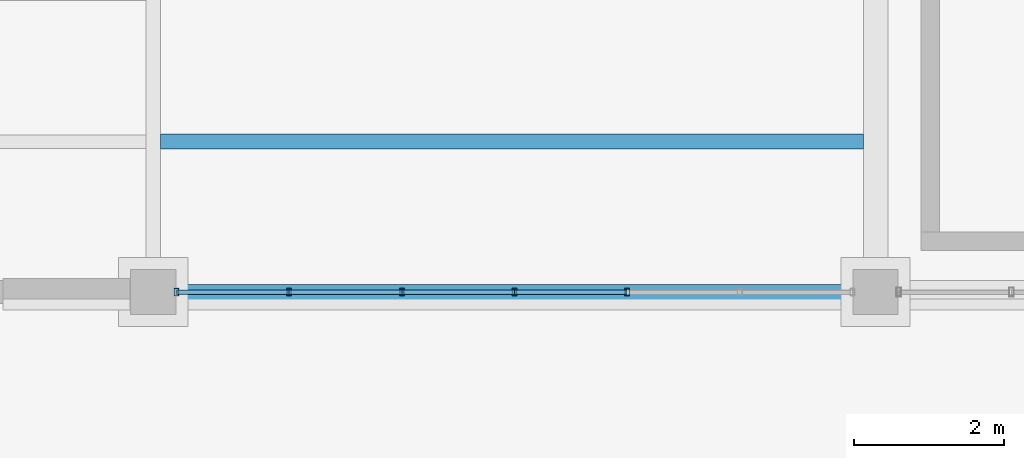
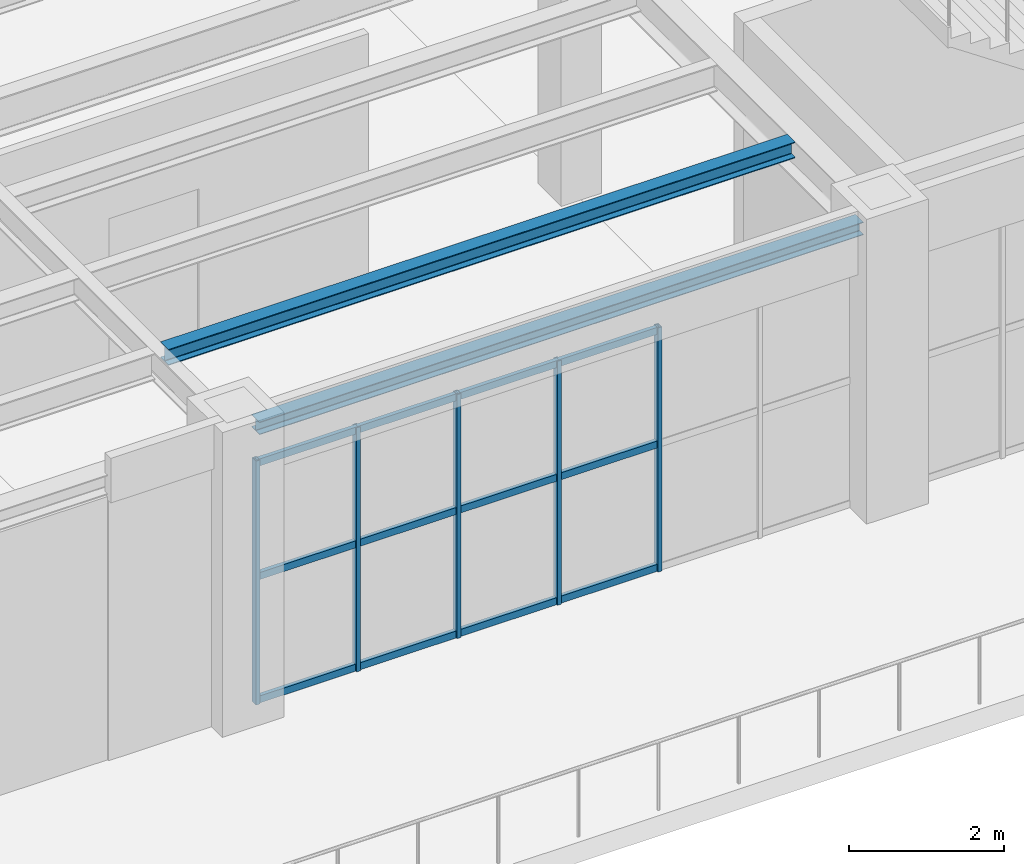
# One storey, part 29 of 83: 17 members, 2 beams, 1 element without a shape of its own.
"""IFC4 building model written with IfcOpenShell, lengths in metres."""

from ifc_helpers import new_model, si_unit, direction, frame, origin, origin_2d, place, context, subcontext, project, spatial, hollow_rectangle, i_section, extrude, material, material_profile, profile_set, type_object, element, aggregate, save


model = new_model("IFC4")

# Units and contexts
model_context = context("Model", 3, precision=1e-05, world=origin(), true_north=direction((0.0, 1.0)))
body_context = subcontext(model_context, "Body", "Model", "MODEL_VIEW")
ifc_project = project(units=[si_unit("LENGTHUNIT", "METRE"), si_unit("AREAUNIT", "SQUARE_METRE"), si_unit("VOLUMEUNIT", "CUBIC_METRE"), si_unit("PLANEANGLEUNIT", "RADIAN"), si_unit("MASSUNIT", "GRAM", prefix="KILO")], contexts=[model_context])

# Site, building, storey
site_placement = place(None, origin())
site = spatial("IfcSite", under=ifc_project, at=site_placement, CompositionType="ELEMENT")
building_placement = place(site_placement, origin())
building = spatial("IfcBuilding", under=site, at=building_placement, Name="Mavantir Sound Aquarium", CompositionType="ELEMENT")
storey_placement = place(building_placement, frame((0.0, 0.0, 10.5)))
storey = spatial("IfcBuildingStorey", under=building, at=storey_placement, Name="L02", CompositionType="ELEMENT", Elevation=10.5)

# Beams
ifc_material_1 = material(Name="Structural Steel ASTM A992 Gr50", Category="steel")
ifc_material_profile_1 = material_profile(ifc_material_1, i_section(OverallWidth=0.202880859375, OverallDepth=0.202880859375, WebThickness=0.007080078125, FlangeThickness=0.010986328125, FilletRadius=0.010009765625, at=origin_2d()), Name="W200X46")
ifc_profile_set_1 = profile_set([ifc_material_profile_1], Name="Structural Steel ASTM A992 Gr50")
beam_type_1 = type_object("IfcBeamType", Name="BM-W200X46-E", PredefinedType="LINTEL", material=ifc_profile_set_1)
beam_1_placement = place(storey_placement, frame((137.10009765625, 40.800048828125, 4.384521484375), z_axis=(1.0, 0.0, 0.0), x_axis=(0.0, 1.0, 0.0)))
element("IfcBeam", 1, at=beam_1_placement, inside=storey, type_object=beam_type_1, Name="L02 primary beam SL-20 1518", PredefinedType="LINTEL", context=body_context, shape_type="SweptSolid", body=[
    extrude(i_section(OverallWidth=0.202880859375, OverallDepth=0.202880859375, WebThickness=0.007080078125, FlangeThickness=0.010986328125, FilletRadius=0.010009765625, at=origin_2d()), origin(), (0.0, 0.0, 1.0), 9.0),
])
ifc_material_profile_2 = material_profile(ifc_material_1, i_section(OverallWidth=0.202880859375, OverallDepth=0.251953125, WebThickness=0.008056640625, FlangeThickness=0.013427734375, FilletRadius=0.011962890625, at=origin_2d()), Name="W250X58")
ifc_profile_set_2 = profile_set([ifc_material_profile_2], Name="Structural Steel ASTM A992 Gr50")
beam_type_2 = type_object("IfcBeamType", Name="BM-W250X58-I", PredefinedType="JOIST", material=ifc_profile_set_2)
beam_2_placement = place(storey_placement, frame((136.89697265625, 42.800048828125, 4.360107421875), z_axis=(1.0, 0.0, 0.0), x_axis=(0.0, 1.0, 0.0)))
element("IfcBeam", 2, at=beam_2_placement, inside=storey, type_object=beam_type_2, Name="L02 secondary floor joist SJ-25 896", PredefinedType="JOIST", context=body_context, shape_type="SweptSolid", body=[
    extrude(i_section(OverallWidth=0.202880859375, OverallDepth=0.251953125, WebThickness=0.008056640625, FlangeThickness=0.013427734375, FilletRadius=0.011962890625, at=origin_2d()), origin(), (0.0, 0.0, 1.0), 9.341064453125),
])

# Curtain wall, members
ifc_material_2 = material(Name="Anodised Marine Aluminium and Low-E Glass", Category="aluminium")
curtain_wall_type = type_object("IfcCurtainWallType", Name="CW-T15", PredefinedType="USERDEFINED", material=ifc_material_2)
curtain_wall_placement = place(storey_placement, origin())
curtain_wall = element("IfcCurtainWall", 3, at=curtain_wall_placement, inside=storey, type_object=curtain_wall_type, Name="L02 unitised curtain wall CW-15 135", ObjectType="UNITISED GLAZING", PredefinedType="USERDEFINED")
ifc_material_3 = material(Name="Anodised Marine Aluminium 6063-T6", Category="aluminium")
ifc_material_profile_3 = material_profile(ifc_material_3, hollow_rectangle(XDim=0.06005859375, YDim=0.10009765625, WallThickness=0.00390625, at=origin_2d()), Name="ALU-MULLION-100X60")
ifc_profile_set_3 = profile_set([ifc_material_profile_3], Name="Anodised Marine Aluminium 6063-T6")
member_type_1 = type_object("IfcMemberType", Name="CW-MUL-100", PredefinedType="MULLION", material=ifc_profile_set_3)
member_1_placement = place(storey_placement, frame((137.10791015625, 40.800048828125, 0.0), z_axis=(0.0, 0.0, 1.0), x_axis=(1.0, 0.0, 0.0)))
member_1 = element("IfcMember", 4, at=member_1_placement, type_object=member_type_1, Name="CW-L02-135 vertical mullion 1", PredefinedType="MULLION", context=body_context, shape_type="SweptSolid", body=[
    extrude(hollow_rectangle(XDim=0.06005859375, YDim=0.10009765625, WallThickness=0.00390625, at=origin_2d()), origin(), (0.0, 0.0, 1.0), 3.844970703125),
])
member_2_placement = place(storey_placement, frame((138.605224609375, 40.800048828125, 0.0), z_axis=(0.0, 0.0, 1.0), x_axis=(1.0, 0.0, 0.0)))
member_2 = element("IfcMember", 5, at=member_2_placement, type_object=member_type_1, Name="CW-L02-135 vertical mullion 2", PredefinedType="MULLION", context=body_context, shape_type="SweptSolid", body=[
    extrude(hollow_rectangle(XDim=0.06005859375, YDim=0.10009765625, WallThickness=0.00390625, at=origin_2d()), origin(), (0.0, 0.0, 1.0), 3.844970703125),
])
member_3_placement = place(storey_placement, frame((140.102783203125, 40.800048828125, 0.0), z_axis=(0.0, 0.0, 1.0), x_axis=(1.0, 0.0, 0.0)))
member_3 = element("IfcMember", 6, at=member_3_placement, type_object=member_type_1, Name="CW-L02-135 vertical mullion 3", PredefinedType="MULLION", context=body_context, shape_type="SweptSolid", body=[
    extrude(hollow_rectangle(XDim=0.06005859375, YDim=0.10009765625, WallThickness=0.00390625, at=origin_2d()), origin(), (0.0, 0.0, 1.0), 3.844970703125),
])
member_4_placement = place(storey_placement, frame((141.60009765625, 40.800048828125, 0.0), z_axis=(0.0, 0.0, 1.0), x_axis=(1.0, 0.0, 0.0)))
member_4 = element("IfcMember", 7, at=member_4_placement, type_object=member_type_1, Name="CW-L02-135 vertical mullion 4", PredefinedType="MULLION", context=body_context, shape_type="SweptSolid", body=[
    extrude(hollow_rectangle(XDim=0.06005859375, YDim=0.10009765625, WallThickness=0.00390625, at=origin_2d()), origin(), (0.0, 0.0, 1.0), 3.844970703125),
])
member_5_placement = place(storey_placement, frame((143.097412109375, 40.800048828125, 0.0), z_axis=(0.0, 0.0, 1.0), x_axis=(1.0, 0.0, 0.0)))
member_5 = element("IfcMember", 8, at=member_5_placement, type_object=member_type_1, Name="CW-L02-135 vertical mullion 5", PredefinedType="MULLION", context=body_context, shape_type="SweptSolid", body=[
    extrude(hollow_rectangle(XDim=0.06005859375, YDim=0.10009765625, WallThickness=0.00390625, at=origin_2d()), origin(), (0.0, 0.0, 1.0), 3.844970703125),
])
ifc_material_profile_4 = material_profile(ifc_material_3, hollow_rectangle(XDim=0.06005859375, YDim=0.110107421875, WallThickness=0.00390625, at=origin_2d()), Name="ALU-TRANSOM-110X60")
ifc_profile_set_4 = profile_set([ifc_material_profile_4], Name="Anodised Marine Aluminium 6063-T6")
member_type_2 = type_object("IfcMemberType", Name="CW-TRN-110", PredefinedType="USERDEFINED", material=ifc_profile_set_4)
member_6_placement = place(storey_placement, frame((137.10791015625, 40.800048828125, 0.054931640625), z_axis=(1.0, 0.0, 0.0), x_axis=(0.0, 1.0, 0.0)))
member_6 = element("IfcMember", 9, at=member_6_placement, type_object=member_type_2, Name="CW-L02-135 transom 1.1", ObjectType="TRANSOM", PredefinedType="USERDEFINED", context=body_context, shape_type="SweptSolid", body=[
    extrude(hollow_rectangle(XDim=0.06005859375, YDim=0.110107421875, WallThickness=0.00390625, at=origin_2d()), origin(), (0.0, 0.0, 1.0), 1.497314453125),
])
member_7_placement = place(storey_placement, frame((137.10791015625, 40.800048828125, 1.99951171875), z_axis=(1.0, 0.0, 0.0), x_axis=(0.0, 1.0, 0.0)))
member_7 = element("IfcMember", 10, at=member_7_placement, type_object=member_type_2, Name="CW-L02-135 transom 1.2", ObjectType="TRANSOM", PredefinedType="USERDEFINED", context=body_context, shape_type="SweptSolid", body=[
    extrude(hollow_rectangle(XDim=0.06005859375, YDim=0.110107421875, WallThickness=0.00390625, at=origin_2d()), origin(), (0.0, 0.0, 1.0), 1.497314453125),
])
member_8_placement = place(storey_placement, frame((137.10791015625, 40.800048828125, 3.7900390625), z_axis=(1.0, 0.0, 0.0), x_axis=(0.0, 1.0, 0.0)))
member_8 = element("IfcMember", 11, at=member_8_placement, type_object=member_type_2, Name="CW-L02-135 transom 1.3", ObjectType="TRANSOM", PredefinedType="USERDEFINED", context=body_context, shape_type="SweptSolid", body=[
    extrude(hollow_rectangle(XDim=0.06005859375, YDim=0.110107421875, WallThickness=0.00390625, at=origin_2d()), origin(), (0.0, 0.0, 1.0), 1.497314453125),
])
member_9_placement = place(storey_placement, frame((138.605224609375, 40.800048828125, 0.054931640625), z_axis=(1.0, 0.0, 0.0), x_axis=(0.0, 1.0, 0.0)))
member_9 = element("IfcMember", 12, at=member_9_placement, type_object=member_type_2, Name="CW-L02-135 transom 2.1", ObjectType="TRANSOM", PredefinedType="USERDEFINED", context=body_context, shape_type="SweptSolid", body=[
    extrude(hollow_rectangle(XDim=0.06005859375, YDim=0.110107421875, WallThickness=0.00390625, at=origin_2d()), origin(), (0.0, 0.0, 1.0), 1.49755859375),
])
member_10_placement = place(storey_placement, frame((138.605224609375, 40.800048828125, 1.99951171875), z_axis=(1.0, 0.0, 0.0), x_axis=(0.0, 1.0, 0.0)))
member_10 = element("IfcMember", 13, at=member_10_placement, type_object=member_type_2, Name="CW-L02-135 transom 2.2", ObjectType="TRANSOM", PredefinedType="USERDEFINED", context=body_context, shape_type="SweptSolid", body=[
    extrude(hollow_rectangle(XDim=0.06005859375, YDim=0.110107421875, WallThickness=0.00390625, at=origin_2d()), origin(), (0.0, 0.0, 1.0), 1.49755859375),
])
member_11_placement = place(storey_placement, frame((138.605224609375, 40.800048828125, 3.7900390625), z_axis=(1.0, 0.0, 0.0), x_axis=(0.0, 1.0, 0.0)))
member_11 = element("IfcMember", 14, at=member_11_placement, type_object=member_type_2, Name="CW-L02-135 transom 2.3", ObjectType="TRANSOM", PredefinedType="USERDEFINED", context=body_context, shape_type="SweptSolid", body=[
    extrude(hollow_rectangle(XDim=0.06005859375, YDim=0.110107421875, WallThickness=0.00390625, at=origin_2d()), origin(), (0.0, 0.0, 1.0), 1.49755859375),
])
member_12_placement = place(storey_placement, frame((140.102783203125, 40.800048828125, 0.054931640625), z_axis=(1.0, 0.0, 0.0), x_axis=(0.0, 1.0, 0.0)))
member_12 = element("IfcMember", 15, at=member_12_placement, type_object=member_type_2, Name="CW-L02-135 transom 3.1", ObjectType="TRANSOM", PredefinedType="USERDEFINED", context=body_context, shape_type="SweptSolid", body=[
    extrude(hollow_rectangle(XDim=0.06005859375, YDim=0.110107421875, WallThickness=0.00390625, at=origin_2d()), origin(), (0.0, 0.0, 1.0), 1.497314453125),
])
member_13_placement = place(storey_placement, frame((140.102783203125, 40.800048828125, 1.99951171875), z_axis=(1.0, 0.0, 0.0), x_axis=(0.0, 1.0, 0.0)))
member_13 = element("IfcMember", 16, at=member_13_placement, type_object=member_type_2, Name="CW-L02-135 transom 3.2", ObjectType="TRANSOM", PredefinedType="USERDEFINED", context=body_context, shape_type="SweptSolid", body=[
    extrude(hollow_rectangle(XDim=0.06005859375, YDim=0.110107421875, WallThickness=0.00390625, at=origin_2d()), origin(), (0.0, 0.0, 1.0), 1.497314453125),
])
member_14_placement = place(storey_placement, frame((140.102783203125, 40.800048828125, 3.7900390625), z_axis=(1.0, 0.0, 0.0), x_axis=(0.0, 1.0, 0.0)))
member_14 = element("IfcMember", 17, at=member_14_placement, type_object=member_type_2, Name="CW-L02-135 transom 3.3", ObjectType="TRANSOM", PredefinedType="USERDEFINED", context=body_context, shape_type="SweptSolid", body=[
    extrude(hollow_rectangle(XDim=0.06005859375, YDim=0.110107421875, WallThickness=0.00390625, at=origin_2d()), origin(), (0.0, 0.0, 1.0), 1.497314453125),
])
member_15_placement = place(storey_placement, frame((141.60009765625, 40.800048828125, 0.054931640625), z_axis=(1.0, 0.0, 0.0), x_axis=(0.0, 1.0, 0.0)))
member_15 = element("IfcMember", 18, at=member_15_placement, type_object=member_type_2, Name="CW-L02-135 transom 4.1", ObjectType="TRANSOM", PredefinedType="USERDEFINED", context=body_context, shape_type="SweptSolid", body=[
    extrude(hollow_rectangle(XDim=0.06005859375, YDim=0.110107421875, WallThickness=0.00390625, at=origin_2d()), origin(), (0.0, 0.0, 1.0), 1.497314453125),
])
member_16_placement = place(storey_placement, frame((141.60009765625, 40.800048828125, 1.99951171875), z_axis=(1.0, 0.0, 0.0), x_axis=(0.0, 1.0, 0.0)))
member_16 = element("IfcMember", 19, at=member_16_placement, type_object=member_type_2, Name="CW-L02-135 transom 4.2", ObjectType="TRANSOM", PredefinedType="USERDEFINED", context=body_context, shape_type="SweptSolid", body=[
    extrude(hollow_rectangle(XDim=0.06005859375, YDim=0.110107421875, WallThickness=0.00390625, at=origin_2d()), origin(), (0.0, 0.0, 1.0), 1.497314453125),
])
member_17_placement = place(storey_placement, frame((141.60009765625, 40.800048828125, 3.7900390625), z_axis=(1.0, 0.0, 0.0), x_axis=(0.0, 1.0, 0.0)))
member_17 = element("IfcMember", 20, at=member_17_placement, type_object=member_type_2, Name="CW-L02-135 transom 4.3", ObjectType="TRANSOM", PredefinedType="USERDEFINED", context=body_context, shape_type="SweptSolid", body=[
    extrude(hollow_rectangle(XDim=0.06005859375, YDim=0.110107421875, WallThickness=0.00390625, at=origin_2d()), origin(), (0.0, 0.0, 1.0), 1.497314453125),
])
aggregate(curtain_wall, [member_1, member_2, member_3, member_4, member_5, member_6, member_7, member_8, member_9, member_10, member_11, member_12, member_13, member_14, member_15, member_16, member_17])

save(model, "model.ifc")
